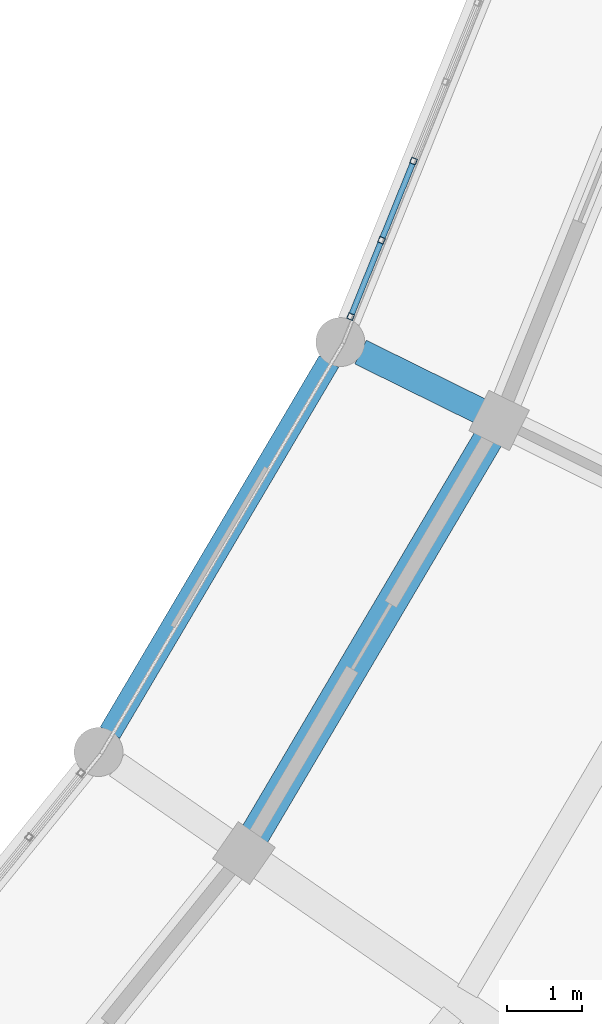
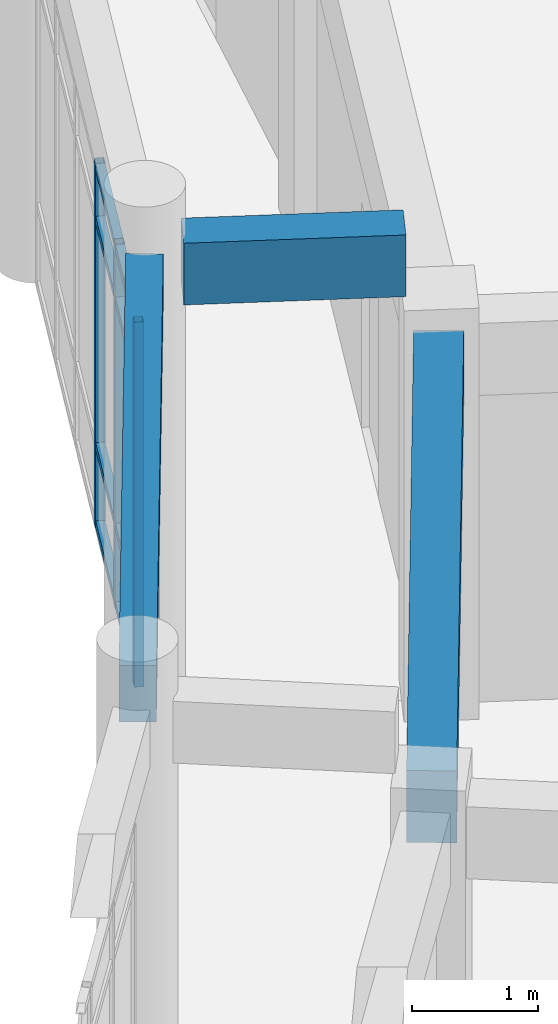
# One storey, part 46 of 159: 11 members, 3 beams, 1 element without a shape of its own.
"""IFC4 building model written with IfcOpenShell, lengths in metres."""

from ifc_helpers import new_model, si_unit, direction, frame, origin, origin_2d, place, context, subcontext, project, spatial, rectangle, hollow_rectangle, extrude, material, material_profile, profile_set, type_object, element, aggregate, save


model = new_model("IFC4")

# Units and contexts
model_context = context("Model", 3, precision=1e-05, world=origin(), true_north=direction((0.0, 1.0)))
body_context = subcontext(model_context, "Body", "Model", "MODEL_VIEW")
ifc_project = project(units=[si_unit("LENGTHUNIT", "METRE"), si_unit("AREAUNIT", "SQUARE_METRE"), si_unit("VOLUMEUNIT", "CUBIC_METRE"), si_unit("PLANEANGLEUNIT", "RADIAN"), si_unit("MASSUNIT", "GRAM", prefix="KILO")], contexts=[model_context])

# Site, building, storey
site_placement = place(None, origin())
site = spatial("IfcSite", under=ifc_project, at=site_placement, CompositionType="ELEMENT")
building_placement = place(site_placement, origin())
building = spatial("IfcBuilding", under=site, at=building_placement, Name="Celadon Cloister-Ring School", CompositionType="ELEMENT")
storey_placement = place(building_placement, frame((0.0, 0.0, 4.5)))
storey = spatial("IfcBuildingStorey", under=building, at=storey_placement, Name="L01", CompositionType="ELEMENT", Elevation=4.5)

# Beam
ifc_material_1 = material(Name="Concrete C35/45", Category="concrete")
ifc_material_profile_1 = material_profile(ifc_material_1, rectangle(XDim=0.35009765625, YDim=0.60009765625, at=origin_2d()), Name="RC350X600")
ifc_profile_set_1 = profile_set([ifc_material_profile_1], Name="Concrete C35/45")
beam_type_1 = type_object("IfcBeamType", Name="BT-02", PredefinedType="BEAM", material=ifc_profile_set_1)
beam_1_placement = place(storey_placement, frame((127.10205078125, 39.197998046875, 4.35009765625), z_axis=(-0.896808796735, 0.442418333819, 0.0), x_axis=(-0.442418333819, -0.896808796735, 0.0)))
element("IfcBeam", 1, at=beam_1_placement, inside=storey, type_object=beam_type_1, Name="Beam 0247", PredefinedType="BEAM", context=body_context, shape_type="SweptSolid", body=[
    extrude(rectangle(XDim=0.35009765625, YDim=0.60009765625, at=origin_2d()), origin(), (0.0, 0.0, 1.0), 1.774169921875),
])

# Curtain wall, members
ifc_material_2 = material(Name="Aluminium EN AW-6063 T6", Category="aluminium")
curtain_wall_type = type_object("IfcCurtainWallType", Name="CW-01", PredefinedType="USERDEFINED", material=ifc_material_2)
curtain_wall_placement = place(storey_placement, origin())
curtain_wall = element("IfcCurtainWall", 2, at=curtain_wall_placement, inside=storey, type_object=curtain_wall_type, Name="Curtain Wall 0037", ObjectType="CURTAIN WALL", PredefinedType="USERDEFINED")
ifc_material_3 = material(Name="Aluminium EN AW-6063 T6", Category="aluminium")
ifc_material_profile_2 = material_profile(ifc_material_3, hollow_rectangle(XDim=0.080078125, YDim=0.080078125, WallThickness=0.00390625, at=origin_2d()), Name="RHS80X80X4")
ifc_profile_set_2 = profile_set([ifc_material_profile_2], Name="Aluminium EN AW-6063 T6")
member_type_1 = type_object("IfcMemberType", Name="CM-03", PredefinedType="MULLION", material=ifc_profile_set_2)
member_1_placement = place(storey_placement, frame((125.37890625, 40.4541015625, 0.0), z_axis=(0.0, 0.0, 1.0), x_axis=(-0.927009611847, 0.375037570843, 0.0)))
member_1 = element("IfcMember", 3, at=member_1_placement, type_object=member_type_1, Name="CW-01 mullion 1", PredefinedType="MULLION", context=body_context, shape_type="SweptSolid", body=[
    extrude(hollow_rectangle(XDim=0.080078125, YDim=0.080078125, WallThickness=0.00390625, at=origin_2d()), origin(), (0.0, 0.0, 1.0), 3.550048828125),
])
member_2_placement = place(storey_placement, frame((125.789306640625, 41.468017578125, 0.0), z_axis=(0.0, 0.0, 1.0), x_axis=(-0.927009611847, 0.375037570843, 0.0)))
member_2 = element("IfcMember", 4, at=member_2_placement, type_object=member_type_1, Name="CW-01 mullion 2", PredefinedType="MULLION", context=body_context, shape_type="SweptSolid", body=[
    extrude(hollow_rectangle(XDim=0.080078125, YDim=0.080078125, WallThickness=0.00390625, at=origin_2d()), origin(), (0.0, 0.0, 1.0), 3.550048828125),
])
member_3_placement = place(storey_placement, frame((126.21435546875, 42.51904296875, 0.0), z_axis=(0.0, 0.0, 1.0), x_axis=(-0.927009611847, 0.375037570843, 0.0)))
member_3 = element("IfcMember", 5, at=member_3_placement, type_object=member_type_1, Name="CW-01 mullion 3", PredefinedType="MULLION", context=body_context, shape_type="SweptSolid", body=[
    extrude(hollow_rectangle(XDim=0.080078125, YDim=0.080078125, WallThickness=0.00390625, at=origin_2d()), origin(), (0.0, 0.0, 1.0), 3.550048828125),
])
ifc_material_4 = material(Name="Aluminium EN AW-6063 T6", Category="aluminium")
ifc_material_profile_3 = material_profile(ifc_material_4, hollow_rectangle(XDim=0.074951171875, YDim=0.074951171875, WallThickness=0.00390625, at=origin_2d()), Name="RHS75X75X4")
ifc_profile_set_3 = profile_set([ifc_material_profile_3], Name="Aluminium EN AW-6063 T6")
member_type_2 = type_object("IfcMemberType", Name="CTM-03", PredefinedType="USERDEFINED", material=ifc_profile_set_3)
member_4_placement = place(storey_placement, frame((125.39404296875, 40.4912109375, 0.03759765625), z_axis=(0.375000587329, 0.927024573301, 0.0), x_axis=(-0.927024573301, 0.375000587329, 0.0)))
member_4 = element("IfcMember", 6, at=member_4_placement, type_object=member_type_2, Name="CW-01 transom 1.1", ObjectType="TRANSOM", PredefinedType="USERDEFINED", context=body_context, shape_type="SweptSolid", body=[
    extrude(hollow_rectangle(XDim=0.074951171875, YDim=0.074951171875, WallThickness=0.00390625, at=origin_2d()), origin(), (0.0, 0.0, 1.0), 1.013671875),
])
member_5_placement = place(storey_placement, frame((125.39404296875, 40.4912109375, 0.800048828125), z_axis=(0.375000587329, 0.927024573301, 0.0), x_axis=(-0.927024573301, 0.375000587329, 0.0)))
member_5 = element("IfcMember", 7, at=member_5_placement, type_object=member_type_2, Name="CW-01 transom 1.2", ObjectType="TRANSOM", PredefinedType="USERDEFINED", context=body_context, shape_type="SweptSolid", body=[
    extrude(hollow_rectangle(XDim=0.074951171875, YDim=0.074951171875, WallThickness=0.00390625, at=origin_2d()), origin(), (0.0, 0.0, 1.0), 1.013671875),
])
member_6_placement = place(storey_placement, frame((125.39404296875, 40.4912109375, 3.0), z_axis=(0.375000587329, 0.927024573301, 0.0), x_axis=(-0.927024573301, 0.375000587329, 0.0)))
member_6 = element("IfcMember", 8, at=member_6_placement, type_object=member_type_2, Name="CW-01 transom 1.3", ObjectType="TRANSOM", PredefinedType="USERDEFINED", context=body_context, shape_type="SweptSolid", body=[
    extrude(hollow_rectangle(XDim=0.074951171875, YDim=0.074951171875, WallThickness=0.00390625, at=origin_2d()), origin(), (0.0, 0.0, 1.0), 1.013671875),
])
member_7_placement = place(storey_placement, frame((125.39404296875, 40.4912109375, 3.512451171875), z_axis=(0.375000587329, 0.927024573301, 0.0), x_axis=(-0.927024573301, 0.375000587329, 0.0)))
member_7 = element("IfcMember", 9, at=member_7_placement, type_object=member_type_2, Name="CW-01 transom 1.4", ObjectType="TRANSOM", PredefinedType="USERDEFINED", context=body_context, shape_type="SweptSolid", body=[
    extrude(hollow_rectangle(XDim=0.074951171875, YDim=0.074951171875, WallThickness=0.00390625, at=origin_2d()), origin(), (0.0, 0.0, 1.0), 1.013671875),
])
member_8_placement = place(storey_placement, frame((125.80419921875, 41.505126953125, 0.03759765625), z_axis=(0.375102699003, 0.926983260475, 0.0), x_axis=(-0.926983260475, 0.375102699003, 0.0)))
member_8 = element("IfcMember", 10, at=member_8_placement, type_object=member_type_2, Name="CW-01 transom 2.1", ObjectType="TRANSOM", PredefinedType="USERDEFINED", context=body_context, shape_type="SweptSolid", body=[
    extrude(hollow_rectangle(XDim=0.074951171875, YDim=0.074951171875, WallThickness=0.00390625, at=origin_2d()), origin(), (0.0, 0.0, 1.0), 1.0537109375),
])
member_9_placement = place(storey_placement, frame((125.80419921875, 41.505126953125, 0.800048828125), z_axis=(0.375102699003, 0.926983260475, 0.0), x_axis=(-0.926983260475, 0.375102699003, 0.0)))
member_9 = element("IfcMember", 11, at=member_9_placement, type_object=member_type_2, Name="CW-01 transom 2.2", ObjectType="TRANSOM", PredefinedType="USERDEFINED", context=body_context, shape_type="SweptSolid", body=[
    extrude(hollow_rectangle(XDim=0.074951171875, YDim=0.074951171875, WallThickness=0.00390625, at=origin_2d()), origin(), (0.0, 0.0, 1.0), 1.0537109375),
])
member_10_placement = place(storey_placement, frame((125.80419921875, 41.505126953125, 3.0), z_axis=(0.375102699003, 0.926983260475, 0.0), x_axis=(-0.926983260475, 0.375102699003, 0.0)))
member_10 = element("IfcMember", 12, at=member_10_placement, type_object=member_type_2, Name="CW-01 transom 2.3", ObjectType="TRANSOM", PredefinedType="USERDEFINED", context=body_context, shape_type="SweptSolid", body=[
    extrude(hollow_rectangle(XDim=0.074951171875, YDim=0.074951171875, WallThickness=0.00390625, at=origin_2d()), origin(), (0.0, 0.0, 1.0), 1.0537109375),
])
member_11_placement = place(storey_placement, frame((125.80419921875, 41.505126953125, 3.512451171875), z_axis=(0.375102699003, 0.926983260475, 0.0), x_axis=(-0.926983260475, 0.375102699003, 0.0)))
member_11 = element("IfcMember", 13, at=member_11_placement, type_object=member_type_2, Name="CW-01 transom 2.4", ObjectType="TRANSOM", PredefinedType="USERDEFINED", context=body_context, shape_type="SweptSolid", body=[
    extrude(hollow_rectangle(XDim=0.074951171875, YDim=0.074951171875, WallThickness=0.00390625, at=origin_2d()), origin(), (0.0, 0.0, 1.0), 1.0537109375),
])
aggregate(curtain_wall, [member_1, member_2, member_3, member_4, member_5, member_6, member_7, member_8, member_9, member_10, member_11])

# Beams
ifc_material_5 = material(Name="Concrete C35/45", Category="concrete")
ifc_material_profile_4 = material_profile(ifc_material_5, rectangle(XDim=0.39990234375, YDim=0.699951171875, at=origin_2d()), Name="RC400X700")
ifc_profile_set_4 = profile_set([ifc_material_profile_4], Name="Concrete C35/45")
beam_type_2 = type_object("IfcBeamType", Name="GT-03", PredefinedType="USERDEFINED", material=ifc_profile_set_4)
beam_2_placement = place(storey_placement, frame((124.10205078125, 33.570068359375, 3.429931640625), z_axis=(0.507930348114, 0.861398143407, 0.0), x_axis=(-0.861398143407, 0.507930348114, 0.0)))
element("IfcBeam", 14, at=beam_2_placement, inside=storey, type_object=beam_type_2, Name="Beam 0356", ObjectType="GIRDER", PredefinedType="USERDEFINED", context=body_context, shape_type="SweptSolid", body=[
    extrude(rectangle(XDim=0.39990234375, YDim=0.699951171875, at=origin_2d()), origin(), (0.0, 0.0, 1.0), 6.116943359375),
])
ifc_material_6 = material(Name="Concrete C35/45", Category="concrete")
ifc_material_profile_5 = material_profile(ifc_material_6, rectangle(XDim=0.300048828125, YDim=0.550048828125, at=origin_2d()), Name="RC300X550")
ifc_profile_set_5 = profile_set([ifc_material_profile_5], Name="Concrete C35/45")
beam_type_3 = type_object("IfcBeamType", Name="SP-02", PredefinedType="SPANDREL", material=ifc_profile_set_5)
beam_3_placement = place(storey_placement, frame((122.18408203125, 34.931884765625, 4.375), z_axis=(0.508103580929, 0.861295971805, 0.0), x_axis=(-0.861295971805, 0.508103580929, 0.0)))
element("IfcBeam", 15, at=beam_3_placement, inside=storey, type_object=beam_type_3, Name="Beam 0357", PredefinedType="SPANDREL", context=body_context, shape_type="SweptSolid", body=[
    extrude(rectangle(XDim=0.300048828125, YDim=0.550048828125, at=origin_2d()), origin(), (0.0, 0.0, 1.0), 5.71923828125),
])

save(model, "model.ifc")
